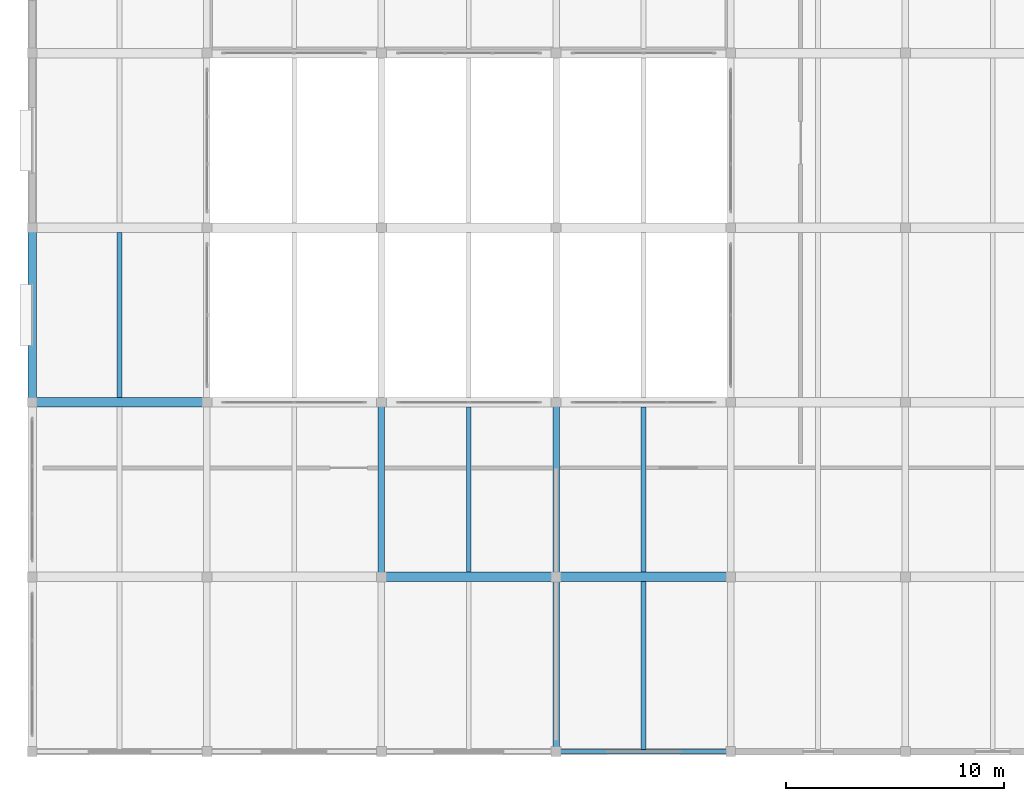
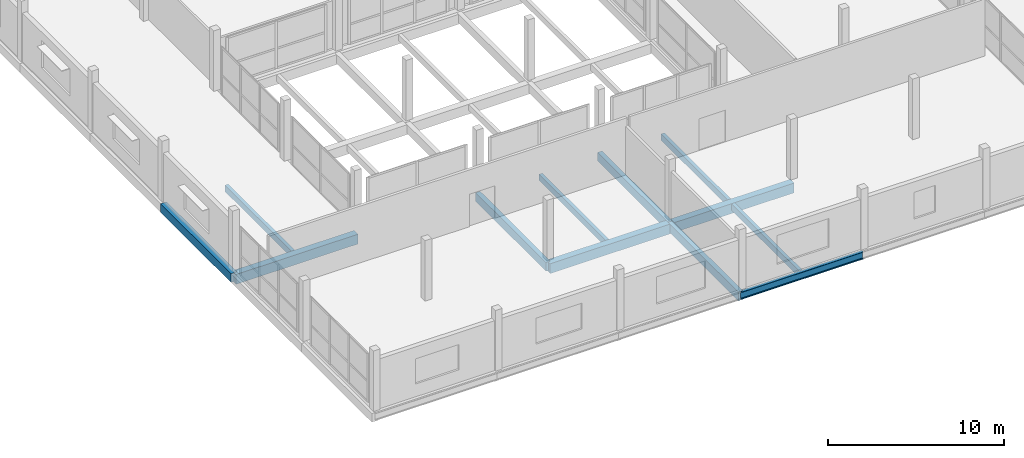
# One storey, part 6 of 53: 12 beams.
"""IFC4 building model written with IfcOpenShell, lengths in metres."""

from ifc_helpers import new_model, si_unit, direction, frame, origin, origin_2d, place, context, subcontext, project, spatial, rectangle, i_section, extrude, material, material_profile, profile_set, type_object, element, save


model = new_model("IFC4")

# Units and contexts
model_context = context("Model", 3, precision=1e-05, world=origin(), true_north=direction((0.0, 1.0)))
body_context = subcontext(model_context, "Body", "Model", "MODEL_VIEW")
ifc_project = project(units=[si_unit("LENGTHUNIT", "METRE"), si_unit("AREAUNIT", "SQUARE_METRE"), si_unit("VOLUMEUNIT", "CUBIC_METRE"), si_unit("PLANEANGLEUNIT", "RADIAN"), si_unit("MASSUNIT", "GRAM", prefix="KILO")], contexts=[model_context])

# Site, building, storey
site_placement = place(None, origin())
site = spatial("IfcSite", under=ifc_project, at=site_placement, CompositionType="ELEMENT")
building_placement = place(site_placement, origin())
building = spatial("IfcBuilding", under=site, at=building_placement, Name="Vharandega Faculty of Natural Sciences", CompositionType="ELEMENT")
storey_placement = place(building_placement, frame((0.0, 0.0, 10.199951171875)))
storey = spatial("IfcBuildingStorey", under=building, at=storey_placement, Name="L02", CompositionType="ELEMENT", Elevation=10.199951171875)

# Beams
ifc_material_1 = material(Name="Glulam GL28h", Category="wood")
ifc_material_profile_1 = material_profile(ifc_material_1, rectangle(XDim=0.300048828125, YDim=0.60009765625, at=origin_2d()), Name="GL28h 300x600")
ifc_profile_set_1 = profile_set([ifc_material_profile_1], Name="Glulam GL28h")
beam_type_1 = type_object("IfcBeamType", Name="Glulam Floor Beam 300x600", PredefinedType="BEAM", material=ifc_profile_set_1)
for number, where, z_axis, x_axis, name in (
    (1, (16.0, 8.0, -0.579833984375), (0.0, 1.0, 0.0), (-1.0, 0.0, 0.0), "Beam L02 3/B-C"),
    (2, (24.0, 0.0, -0.579833984375), (0.0, 1.0, 0.0), (-1.0, 0.0, 0.0), "Beam L02 4/A-B"),
    (3, (24.0, 8.0, -0.579833984375), (0.0, 1.0, 0.0), (-1.0, 0.0, 0.0), "Beam L02 4/B-C"),
):
    element("IfcBeam", number, at=place(storey_placement, frame(where, z_axis=z_axis, x_axis=x_axis)), inside=storey, type_object=beam_type_1, Name=name, PredefinedType="BEAM", context=body_context, shape_type="SweptSolid", body=[
        extrude(rectangle(XDim=0.300048828125, YDim=0.60009765625, at=origin_2d()), origin(), (0.0, 0.0, 1.0), 8.0),
    ])
ifc_material_2 = material(Name="Glulam GL32h", Category="wood")
ifc_material_profile_2 = material_profile(ifc_material_2, rectangle(XDim=0.43994140625, YDim=0.679931640625, at=origin_2d()), Name="GL32h 440x680")
ifc_profile_set_2 = profile_set([ifc_material_profile_2], Name="Glulam GL32h")
beam_type_2 = type_object("IfcBeamType", Name="Glulam Girder 440x680", PredefinedType="BEAM", material=ifc_profile_set_2)
for number, where, z_axis, x_axis, name in (
    (4, (16.0, 8.0, -0.619873046875), (1.0, 0.0, 0.0), (0.0, 1.0, 0.0), "Beam L02 B/3-4"),
    (5, (24.0, 8.0, -0.619873046875), (1.0, 0.0, 0.0), (0.0, 1.0, 0.0), "Beam L02 B/4-5"),
    (6, (0.0, 16.0, -0.619873046875), (1.0, 0.0, 0.0), (0.0, 1.0, 0.0), "Beam L02 C/1-2"),
):
    element("IfcBeam", number, at=place(storey_placement, frame(where, z_axis=z_axis, x_axis=x_axis)), inside=storey, type_object=beam_type_2, Name=name, PredefinedType="BEAM", context=body_context, shape_type="SweptSolid", body=[
        extrude(rectangle(XDim=0.43994140625, YDim=0.679931640625, at=origin_2d()), origin(), (0.0, 0.0, 1.0), 8.0),
    ])
ifc_material_3 = material(Name="Glulam GL28h", Category="wood")
ifc_material_profile_3 = material_profile(ifc_material_3, rectangle(XDim=0.219970703125, YDim=0.43994140625, at=origin_2d()), Name="GL28h 220x440")
ifc_profile_set_3 = profile_set([ifc_material_profile_3], Name="Glulam GL28h")
beam_type_3 = type_object("IfcBeamType", Name="Glulam Secondary Joist 220x440", PredefinedType="JOIST", material=ifc_profile_set_3)
for number, where, z_axis, x_axis, name in (
    (7, (4.0, 16.219970703125, -0.5), (0.0, 1.0, 0.0), (-1.0, 0.0, 0.0), "Secondary Joist L02 1-2/C-D"),
    (8, (20.0, 8.219970703125, -0.5), (0.0, 1.0, 0.0), (-1.0, 0.0, 0.0), "Secondary Joist L02 3-4/B-C"),
):
    element("IfcBeam", number, at=place(storey_placement, frame(where, z_axis=z_axis, x_axis=x_axis)), inside=storey, type_object=beam_type_3, Name=name, PredefinedType="JOIST", context=body_context, shape_type="SweptSolid", body=[
        extrude(rectangle(XDim=0.219970703125, YDim=0.43994140625, at=origin_2d()), origin(), (0.0, 0.0, 1.0), 7.56005859375),
    ])
beam_1_placement = place(storey_placement, frame((28.0, 0.10009765625, -0.5), z_axis=(0.0, 1.0, 0.0), x_axis=(-1.0, 0.0, 0.0)))
element("IfcBeam", 9, at=beam_1_placement, inside=storey, type_object=beam_type_3, Name="Secondary Joist L02 4-5/A-B", PredefinedType="JOIST", context=body_context, shape_type="SweptSolid", body=[
    extrude(rectangle(XDim=0.219970703125, YDim=0.43994140625, at=origin_2d()), origin(), (0.0, 0.0, 1.0), 7.679931640625),
])
beam_2_placement = place(storey_placement, frame((28.0, 8.219970703125, -0.5), z_axis=(0.0, 1.0, 0.0), x_axis=(-1.0, 0.0, 0.0)))
element("IfcBeam", 10, at=beam_2_placement, inside=storey, type_object=beam_type_3, Name="Secondary Joist L02 4-5/B-C", PredefinedType="JOIST", context=body_context, shape_type="SweptSolid", body=[
    extrude(rectangle(XDim=0.219970703125, YDim=0.43994140625, at=origin_2d()), origin(), (0.0, 0.0, 1.0), 7.56005859375),
])
ifc_material_4 = material(Name="Glulam GL32h", Category="wood")
ifc_material_profile_4 = material_profile(ifc_material_4, rectangle(XDim=0.39990234375, YDim=0.60009765625, at=origin_2d()), Name="GL32h 400x600")
ifc_profile_set_4 = profile_set([ifc_material_profile_4], Name="Glulam GL32h")
beam_type_4 = type_object("IfcBeamType", Name="Glulam Spine Girder 400x600", PredefinedType="BEAM", material=ifc_profile_set_4)
beam_3_placement = place(storey_placement, frame((0.0, 16.0, -0.579833984375), z_axis=(0.0, 1.0, 0.0), x_axis=(-1.0, 0.0, 0.0)))
element("IfcBeam", 11, at=beam_3_placement, inside=storey, type_object=beam_type_4, Name="Beam L02 1/C-D", PredefinedType="BEAM", context=body_context, shape_type="SweptSolid", body=[
    extrude(rectangle(XDim=0.39990234375, YDim=0.60009765625, at=origin_2d()), origin(), (0.0, 0.0, 1.0), 8.0),
])
ifc_material_5 = material(Name="Steel S355", Category="steel")
ifc_material_profile_5 = material_profile(ifc_material_5, i_section(OverallWidth=0.199951171875, OverallDepth=0.5, WebThickness=0.01025390625, FlangeThickness=0.01611328125, FilletRadius=0.02099609375, at=origin_2d()), Name="IPE 500")
ifc_profile_set_5 = profile_set([ifc_material_profile_5], Name="Steel S355")
beam_type_5 = type_object("IfcBeamType", Name="Steel Spandrel Beam IPE 500", PredefinedType="SPANDREL", material=ifc_profile_set_5)
beam_4_placement = place(storey_placement, frame((24.0, 0.0, -0.530029296875), z_axis=(1.0, 0.0, 0.0), x_axis=(0.0, 1.0, 0.0)))
element("IfcBeam", 12, at=beam_4_placement, inside=storey, type_object=beam_type_5, Name="Beam L02 A/4-5", PredefinedType="SPANDREL", context=body_context, shape_type="SweptSolid", body=[
    extrude(i_section(OverallWidth=0.199951171875, OverallDepth=0.5, WebThickness=0.01025390625, FlangeThickness=0.01611328125, FilletRadius=0.02099609375, at=origin_2d()), origin(), (0.0, 0.0, 1.0), 8.0),
])

save(model, "model.ifc")
